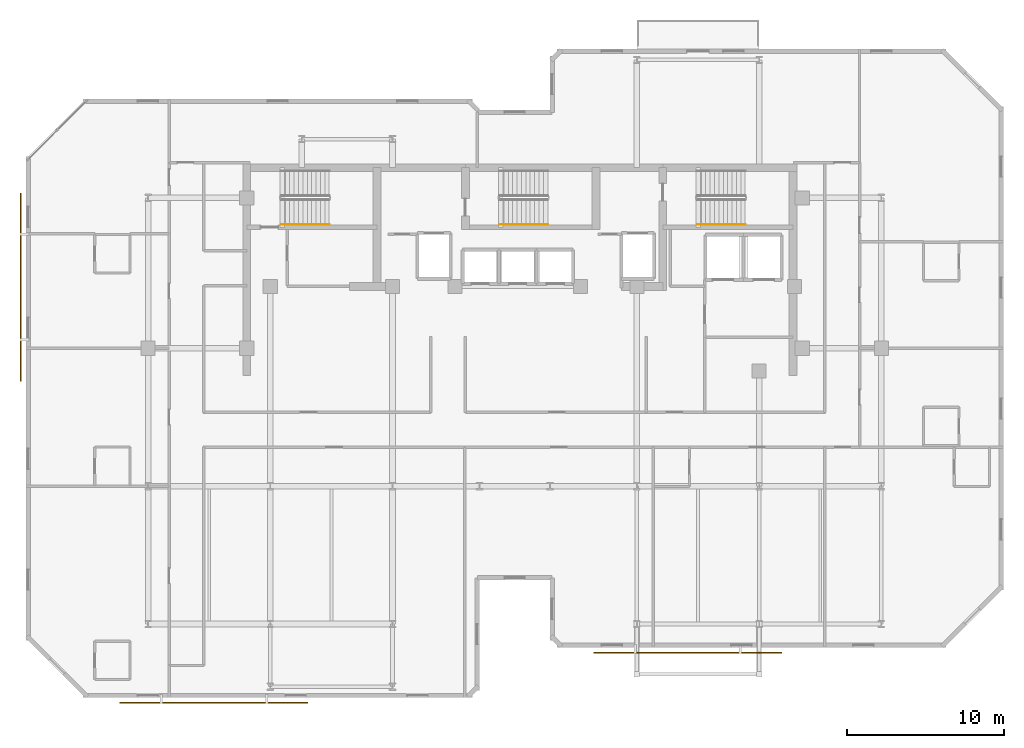
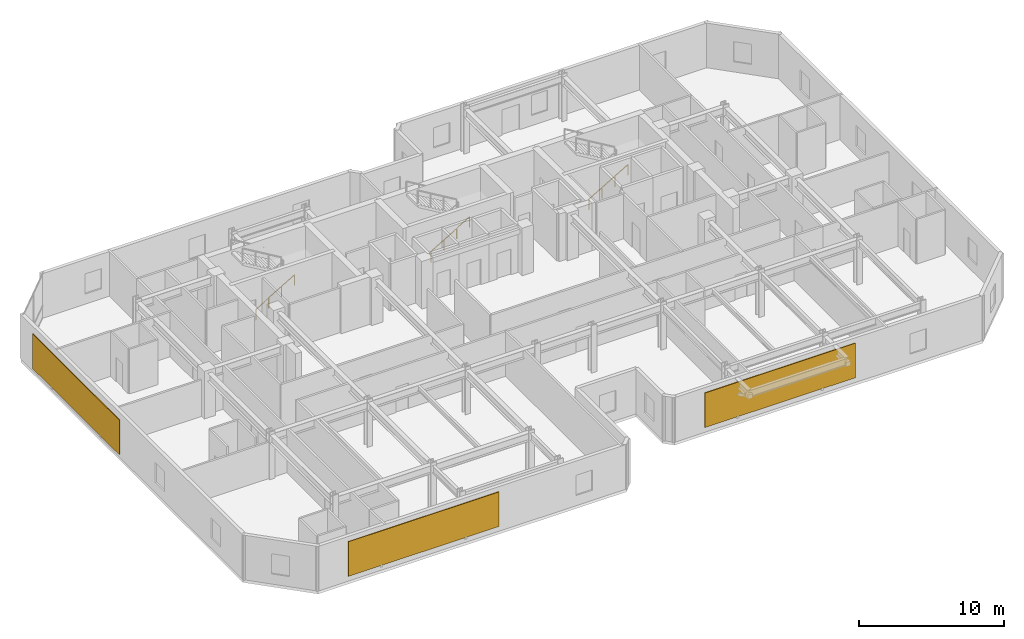
# One storey, part 9 of 10: 3 railings, 3 shading devices.
"""IFC4 building model written with IfcOpenShell, lengths in metres."""

from ifc_helpers import new_model, si_unit, direction, frame, origin, origin_2d, place, context, subcontext, project, spatial, rectangle, circle, extrude, material, layer, layer_set, type_object, element, save


model = new_model("IFC4")

# Units and contexts
model_context = context("Model", 3, precision=1e-05, world=origin(), true_north=direction((0.0, 1.0)))
body_context = subcontext(model_context, "Body", "Model", "MODEL_VIEW")
ifc_project = project(units=[si_unit("LENGTHUNIT", "METRE"), si_unit("AREAUNIT", "SQUARE_METRE"), si_unit("VOLUMEUNIT", "CUBIC_METRE"), si_unit("PLANEANGLEUNIT", "RADIAN"), si_unit("MASSUNIT", "GRAM", prefix="KILO")], contexts=[model_context])

# Site, building, storey
site_placement = place(None, origin())
site = spatial("IfcSite", under=ifc_project, at=site_placement, CompositionType="ELEMENT")
building_placement = place(site_placement, origin())
building = spatial("IfcBuilding", under=site, at=building_placement, Name="Kestravale Grand Hotel", CompositionType="ELEMENT")
storey_placement = place(building_placement, frame((0.0, 0.0, 261.39990234375)))
storey = spatial("IfcBuildingStorey", under=building, at=storey_placement, Name="L65", CompositionType="ELEMENT", Elevation=261.39990234375)

# Railings
ifc_material_1 = material(Name="Brushed stainless steel wall handrail", Category="steel")
railing_type = type_object("IfcRailingType", Name="RL-ST-HND900", PredefinedType="HANDRAIL", material=ifc_material_1)
railing_placement = place(storey_placement, frame((24.080078125, 36.699951171875, 0.166748046875)))
element("IfcRailing", 1, at=railing_placement, inside=storey, type_object=railing_type, Name="L65 ST-1 stair handrail 1", PredefinedType="HANDRAIL", context=body_context, shape_type="SweptSolid", body=[
    extrude(circle(Radius=0.02392578125, at=origin_2d()), frame((0.0, 0.0, 0.8759765625), z_axis=(0.859290745958, 0.0, 0.51148745235), x_axis=(0.0, 1.0, 0.0)), (0.0, 0.0, 1.0), 3.584228515625),
    extrude(circle(Radius=0.02099609375, at=origin_2d()), origin(), (0.0, 0.0, 1.0), 0.851806640625),
    extrude(circle(Radius=0.02099609375, at=origin_2d()), frame((1.026611328125, 0.0, 0.611083984375)), (0.0, 0.0, 1.0), 0.851806640625),
    extrude(circle(Radius=0.02099609375, at=origin_2d()), frame((2.05322265625, 0.0, 1.22216796875)), (0.0, 0.0, 1.0), 0.851806640625),
    extrude(circle(Radius=0.02099609375, at=origin_2d()), frame((3.079833984375, 0.0, 1.833251953125)), (0.0, 0.0, 1.0), 0.851806640625),
])
for number, where, name in (
    (2, (38.030029296875, 36.699951171875, 0.166748046875), "L65 ST-2 stair handrail 1"),
    (3, (50.6298828125, 36.699951171875, 0.166748046875), "L65 ST-3 stair handrail 1"),
):
    element("IfcRailing", number, at=place(storey_placement, frame(where)), inside=storey, type_object=railing_type, Name=name, PredefinedType="HANDRAIL", context=body_context, shape_type="SweptSolid", body=[
        extrude(circle(Radius=0.02392578125, at=origin_2d()), frame((0.0, 0.0, 0.8759765625), z_axis=(0.859308565015, 0.0, 0.511457515432), x_axis=(0.0, 1.0, 0.0)), (0.0, 0.0, 1.0), 3.58447265625),
        extrude(circle(Radius=0.02099609375, at=origin_2d()), origin(), (0.0, 0.0, 1.0), 0.851806640625),
        extrude(circle(Radius=0.02099609375, at=origin_2d()), frame((1.026611328125, 0.0, 0.611083984375)), (0.0, 0.0, 1.0), 0.851806640625),
        extrude(circle(Radius=0.02099609375, at=origin_2d()), frame((2.053466796875, 0.0, 1.22216796875)), (0.0, 0.0, 1.0), 0.851806640625),
        extrude(circle(Radius=0.02099609375, at=origin_2d()), frame((3.080078125, 0.0, 1.833251953125)), (0.0, 0.0, 1.0), 0.851806640625),
    ])

# Shading devices
ifc_material_2 = material(Name="Perforated champagne-bronze aluminium and ceramic solar screen", Category="aluminium")
ifc_layer = layer(ifc_material_2, 0.06494140625)
ifc_layer_set = layer_set([ifc_layer], Name="SHD-SCR-CHEV")
shading_device_type = type_object("IfcShadingDeviceType", Name="SHD-SCR-CHEV", PredefinedType="USERDEFINED", material=ifc_layer_set)
for number, where, z_axis, x_axis, name in (
    (4, (19.800048828125, 6.159912109375, 0.7001953125), (0.0, 0.0, 1.0), (1.0, 0.0, 0.0), "L65 Perforated bronze ceramic chevron solar screen SCR-L65-01"),
    (5, (50.050048828125, 9.360107421875, 0.7001953125), (0.0, 0.0, 1.0), (1.0, 0.0, 0.0), "L65 Perforated bronze ceramic chevron solar screen SCR-L65-07"),
    (6, (7.4599609375, 32.699951171875, 0.7001953125), (0.0, 0.0, 1.0), (0.0, -1.0, 0.0), "L65 Perforated bronze ceramic chevron solar screen SCR-L65-19"),
):
    element("IfcShadingDevice", number, at=place(storey_placement, frame(where, z_axis=z_axis, x_axis=x_axis)), inside=storey, type_object=shading_device_type, Name=name, ObjectType="SCREEN", PredefinedType="USERDEFINED", context=body_context, shape_type="SweptSolid", body=[
        extrude(rectangle(XDim=12.0, YDim=0.06494140625, at=origin_2d()), origin(), (0.0, 0.0, 1.0), 2.909912109375),
    ])

save(model, "model.ifc")
